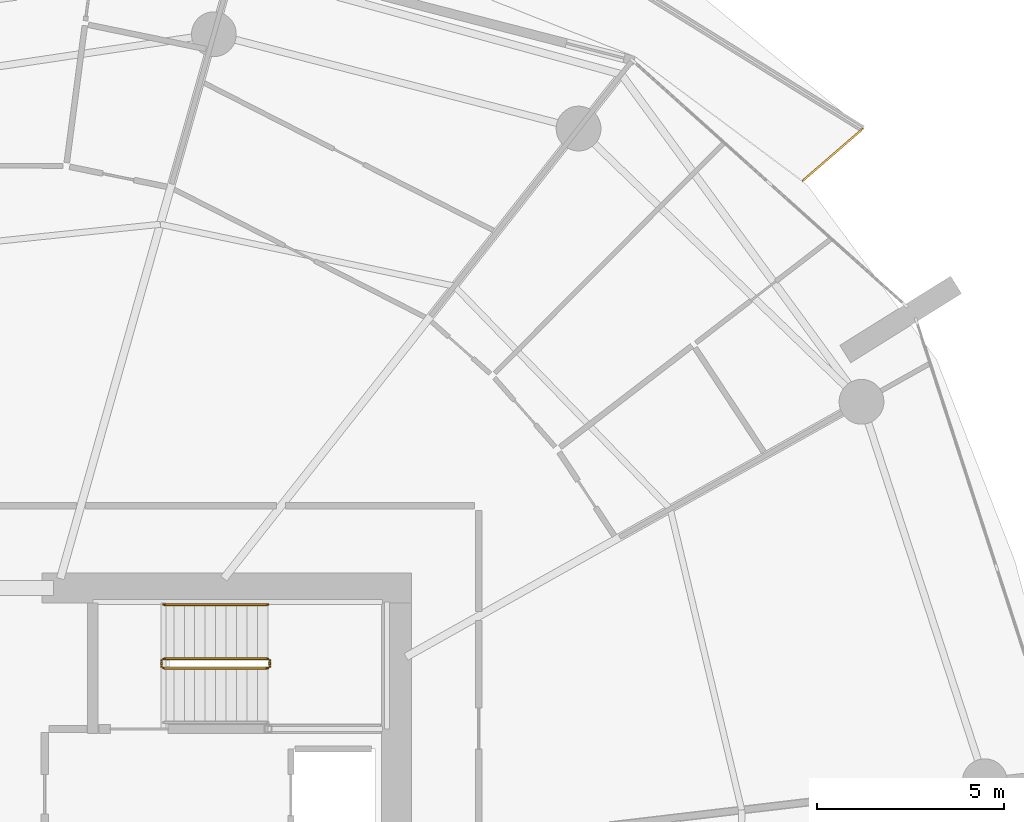
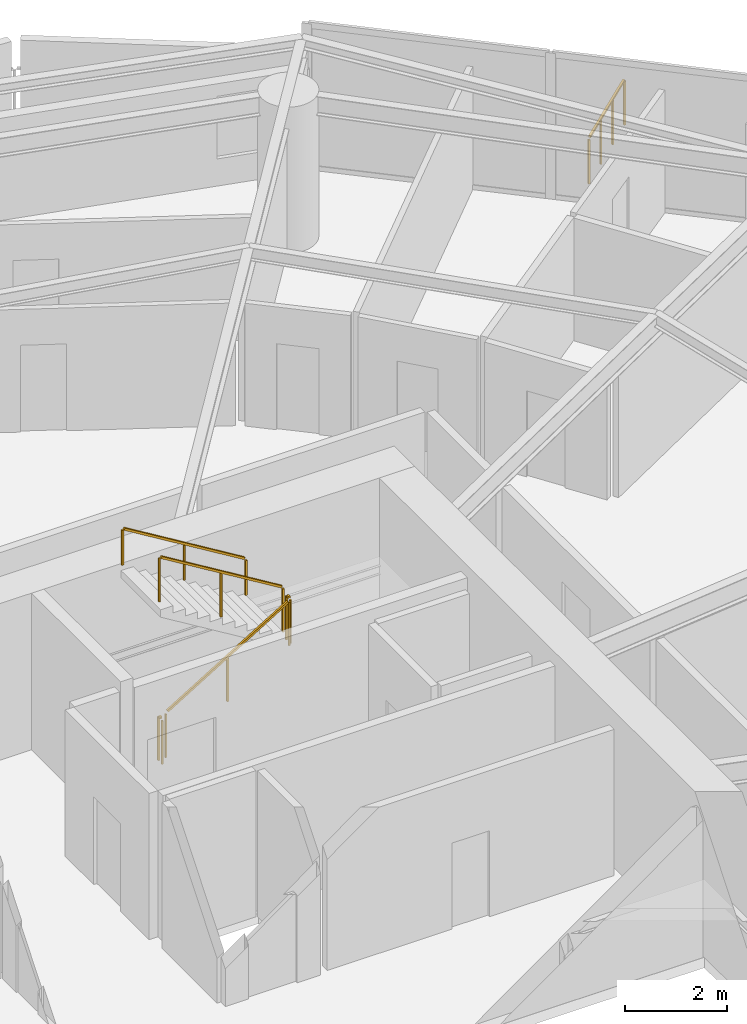
# One storey, part 22 of 23: 6 railings.
"""IFC4 building model written with IfcOpenShell, lengths in metres."""

from ifc_helpers import new_model, si_unit, direction, frame, origin, origin_2d, place, context, subcontext, project, spatial, rectangle, extrude, material, type_object, element, save


model = new_model("IFC4")

# Units and contexts
model_context = context("Model", 3, precision=1e-05, world=origin(), true_north=direction((0.0, 1.0)))
body_context = subcontext(model_context, "Body", "Model", "MODEL_VIEW")
ifc_project = project(units=[si_unit("LENGTHUNIT", "METRE"), si_unit("AREAUNIT", "SQUARE_METRE"), si_unit("VOLUMEUNIT", "CUBIC_METRE"), si_unit("PLANEANGLEUNIT", "RADIAN"), si_unit("MASSUNIT", "GRAM", prefix="KILO")], contexts=[model_context])

# Site, building, storey
site_placement = place(None, origin())
site = spatial("IfcSite", under=ifc_project, at=site_placement, CompositionType="ELEMENT")
building_placement = place(site_placement, origin())
building = spatial("IfcBuilding", under=site, at=building_placement, Name="Kazma Halo Residences", CompositionType="ELEMENT")
storey_placement = place(building_placement, frame((0.0, 0.0, 97.64990234375)))
storey = spatial("IfcBuildingStorey", under=building, at=storey_placement, Name="L24", CompositionType="ELEMENT", Elevation=97.64990234375)

# Railings
ifc_material_1 = material(Name="Aluminium AW-6063 T6 Brushed Cap Rail", Category="aluminium")
railing_type_1 = type_object("IfcRailingType", Name="RLG-BAL-CAP-1120", PredefinedType="BALUSTRADE", material=ifc_material_1)
railing_1_placement = place(storey_placement, frame((70.323974609375, 61.303466796875, 0.0)))
element("IfcRailing", 1, at=railing_1_placement, inside=storey, type_object=railing_type_1, Name="L24 NE wave balcony guard 1", PredefinedType="BALUSTRADE", context=body_context, shape_type="SweptSolid", body=[
    extrude(rectangle(XDim=0.050048828125, YDim=0.050048828125, at=origin_2d()), frame((0.0322265625, 0.02783203125, 1.09521484375), z_axis=(0.756384633823, 0.654127117399, 0.0), x_axis=(-0.654127117399, 0.756384633823, 0.0)), (0.0, 0.0, 1.0), 2.044677734375),
    extrude(rectangle(XDim=0.0400390625, YDim=0.0400390625, at=origin_2d()), origin(), (0.0, 0.0, 1.0), 1.05810546875),
    extrude(rectangle(XDim=0.0400390625, YDim=0.0400390625, at=origin_2d()), frame((0.536865234375, 0.46435546875, 0.0)), (0.0, 0.0, 1.0), 1.05810546875),
    extrude(rectangle(XDim=0.0400390625, YDim=0.0400390625, at=origin_2d()), frame((1.073974609375, 0.9287109375, 0.0)), (0.0, 0.0, 1.0), 1.05810546875),
    extrude(rectangle(XDim=0.0400390625, YDim=0.0400390625, at=origin_2d()), frame((1.61083984375, 1.39306640625, 0.0)), (0.0, 0.0, 1.0), 1.05810546875),
])
ifc_material_2 = material(Name="Painted Steel S355", Category="steel")
railing_type_2 = type_object("IfcRailingType", Name="RLG-STAIR-GRD-1100", PredefinedType="GUARDRAIL", material=ifc_material_2)
railing_2_placement = place(storey_placement, frame((53.199951171875, 48.25, 0.170654296875)))
element("IfcRailing", 2, at=railing_2_placement, inside=storey, type_object=railing_type_2, Name="L24 ST-02 stair guard 1", PredefinedType="GUARDRAIL", context=body_context, shape_type="SweptSolid", body=[
    extrude(rectangle(XDim=0.050048828125, YDim=0.050048828125, at=origin_2d()), frame((0.036376953125, 0.0, 1.09716796875), z_axis=(0.854202870247, 0.0, 0.519939858505), x_axis=(0.0, 1.0, 0.0)), (0.0, 0.0, 1.0), 3.19287109375),
    extrude(rectangle(XDim=0.0400390625, YDim=0.0400390625, at=origin_2d()), origin(), (0.0, 0.0, 1.0), 1.0380859375),
    extrude(rectangle(XDim=0.0400390625, YDim=0.0400390625, at=origin_2d()), frame((1.39990234375, 0.0, 0.85205078125)), (0.0, 0.0, 1.0), 1.0380859375),
    extrude(rectangle(XDim=0.0400390625, YDim=0.0400390625, at=origin_2d()), frame((2.800048828125, 0.0, 1.704345703125)), (0.0, 0.0, 1.0), 1.0380859375),
])
railing_3_placement = place(storey_placement, frame((56.050048828125, 48.300048828125, 1.875)))
element("IfcRailing", 3, at=railing_3_placement, inside=storey, type_object=railing_type_2, Name="L24 ST-02 stair guard 2", PredefinedType="GUARDRAIL", context=body_context, shape_type="SweptSolid", body=[
    extrude(rectangle(XDim=0.050048828125, YDim=0.050048828125, at=origin_2d()), frame((0.0, 0.04248046875, 1.0751953125), z_axis=(0.0, 1.0, 0.0), x_axis=(-1.0, 0.0, 0.0)), (0.0, 0.0, 1.0), 0.06494140625),
    extrude(rectangle(XDim=0.0400390625, YDim=0.0400390625, at=origin_2d()), origin(), (0.0, 0.0, 1.0), 1.0380859375),
    extrude(rectangle(XDim=0.0400390625, YDim=0.0400390625, at=origin_2d()), frame((0.0, 0.14990234375, 0.0)), (0.0, 0.0, 1.0), 1.0380859375),
])
railing_4_placement = place(storey_placement, frame((56.0, 48.5, 2.045654296875)))
element("IfcRailing", 4, at=railing_4_placement, inside=storey, type_object=railing_type_2, Name="L24 ST-02 stair guard 3", PredefinedType="GUARDRAIL", context=body_context, shape_type="SweptSolid", body=[
    extrude(rectangle(XDim=0.050048828125, YDim=0.050048828125, at=origin_2d()), frame((-0.036376953125, 0.0, 1.09716796875), z_axis=(-0.854202870247, 0.0, 0.519939858505), x_axis=(0.0, -1.0, 0.0)), (0.0, 0.0, 1.0), 3.19287109375),
    extrude(rectangle(XDim=0.0400390625, YDim=0.0400390625, at=origin_2d()), origin(), (0.0, 0.0, 1.0), 1.0380859375),
    extrude(rectangle(XDim=0.0400390625, YDim=0.0400390625, at=origin_2d()), frame((-1.39990234375, 0.0, 0.85205078125)), (0.0, 0.0, 1.0), 1.0380859375),
    extrude(rectangle(XDim=0.0400390625, YDim=0.0400390625, at=origin_2d()), frame((-2.800048828125, 0.0, 1.704345703125)), (0.0, 0.0, 1.0), 1.0380859375),
])
railing_5_placement = place(storey_placement, frame((53.14990234375, 48.300048828125, 0.0)))
element("IfcRailing", 5, at=railing_5_placement, inside=storey, type_object=railing_type_2, Name="L24 ST-02 stair guard 4", PredefinedType="GUARDRAIL", context=body_context, shape_type="SweptSolid", body=[
    extrude(rectangle(XDim=0.050048828125, YDim=0.050048828125, at=origin_2d()), frame((0.0, 0.04248046875, 1.0751953125), z_axis=(0.0, 1.0, 0.0), x_axis=(-1.0, 0.0, 0.0)), (0.0, 0.0, 1.0), 0.06494140625),
    extrude(rectangle(XDim=0.0400390625, YDim=0.0400390625, at=origin_2d()), origin(), (0.0, 0.0, 1.0), 1.0380859375),
    extrude(rectangle(XDim=0.0400390625, YDim=0.0400390625, at=origin_2d()), frame((0.0, 0.14990234375, 0.0)), (0.0, 0.0, 1.0), 1.0380859375),
])
ifc_material_3 = material(Name="Brushed Stainless Steel", Category="steel")
railing_type_3 = type_object("IfcRailingType", Name="RLG-STAIR-HND-900", PredefinedType="HANDRAIL", material=ifc_material_3)
railing_6_placement = place(storey_placement, frame((56.0, 49.949951171875, 2.045654296875)))
element("IfcRailing", 6, at=railing_6_placement, inside=storey, type_object=railing_type_3, Name="L24 ST-02 stair handrail 2", PredefinedType="HANDRAIL", context=body_context, shape_type="SweptSolid", body=[
    extrude(rectangle(XDim=0.050048828125, YDim=0.050048828125, at=origin_2d()), frame((-0.036376953125, 0.0, 0.89697265625), z_axis=(-0.854202870247, 0.0, 0.519939858505), x_axis=(0.0, -1.0, 0.0)), (0.0, 0.0, 1.0), 3.19287109375),
    extrude(rectangle(XDim=0.0400390625, YDim=0.0400390625, at=origin_2d()), origin(), (0.0, 0.0, 1.0), 0.837890625),
    extrude(rectangle(XDim=0.0400390625, YDim=0.0400390625, at=origin_2d()), frame((-1.39990234375, 0.0, 0.85205078125)), (0.0, 0.0, 1.0), 0.837890625),
    extrude(rectangle(XDim=0.0400390625, YDim=0.0400390625, at=origin_2d()), frame((-2.800048828125, 0.0, 1.704345703125)), (0.0, 0.0, 1.0), 0.837890625),
])

save(model, "model.ifc")
